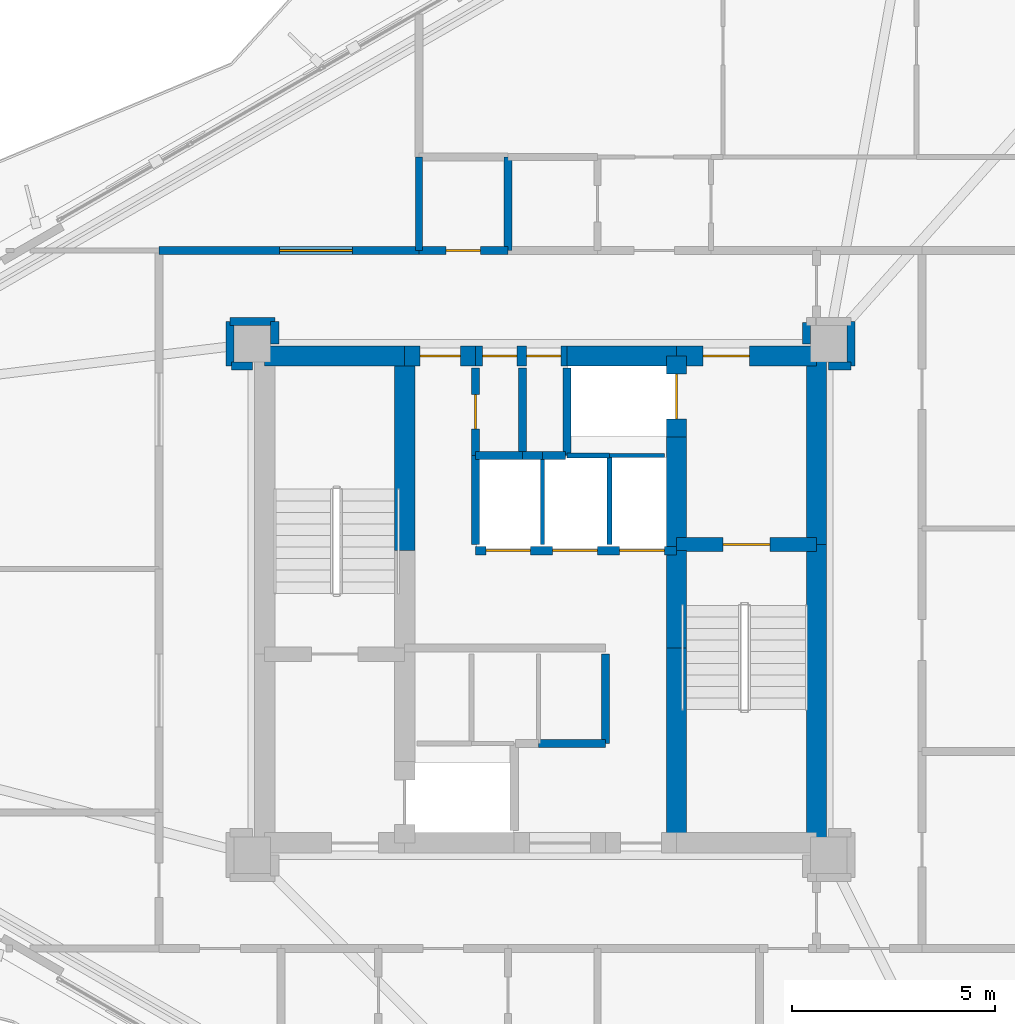
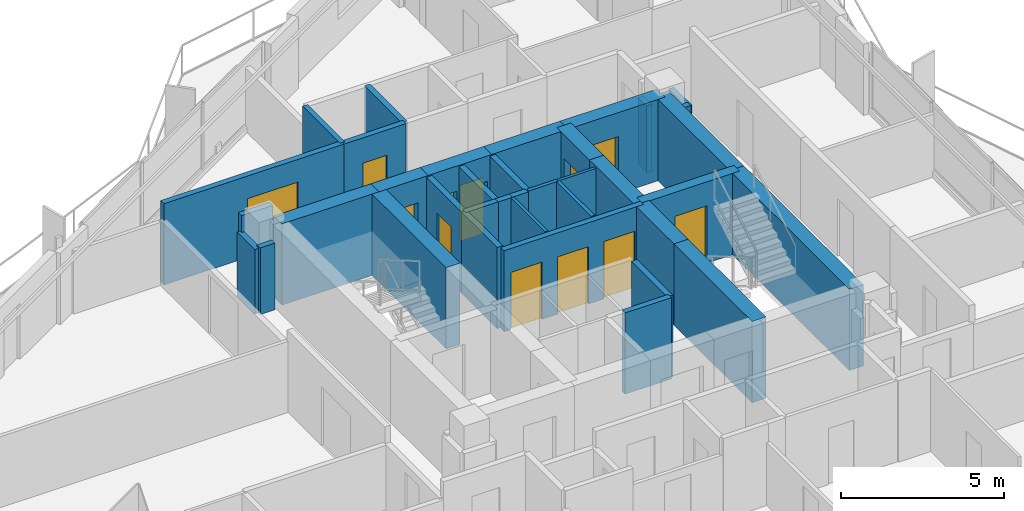
# One storey, part 17 of 22: 38 walls, 12 doors, 12 openings.
"""IFC4 building model written with IfcOpenShell, lengths in metres."""

from ifc_helpers import new_model, si_unit, direction, frame, frame_2d, origin, place, context, subcontext, project, spatial, rectangle, extrude, material, layer, layer_set, type_object, element, fill, save


model = new_model("IFC4")

# Units and contexts
model_context = context("Model", 3, precision=1e-05, world=origin(), true_north=direction((0.0, 1.0)))
body_context = subcontext(model_context, "Body", "Model", "MODEL_VIEW")
ifc_project = project(units=[si_unit("LENGTHUNIT", "METRE"), si_unit("AREAUNIT", "SQUARE_METRE"), si_unit("VOLUMEUNIT", "CUBIC_METRE"), si_unit("PLANEANGLEUNIT", "RADIAN"), si_unit("MASSUNIT", "GRAM", prefix="KILO")], contexts=[model_context])

# Site, building, storey
site_placement = place(None, origin())
site = spatial("IfcSite", under=ifc_project, at=site_placement, CompositionType="ELEMENT")
building_placement = place(site_placement, origin())
building = spatial("IfcBuilding", under=site, at=building_placement, Name="Mersakhor Tower and Convention Hall", CompositionType="ELEMENT")
storey_placement = place(building_placement, frame((0.0, 0.0, 83.39990234375)))
storey = spatial("IfcBuildingStorey", under=building, at=storey_placement, Name="L22", CompositionType="ELEMENT", Elevation=83.39990234375)

# Walls
ifc_material_1 = material(Name="Moisture-resistant acoustic drywall studwork", Category="other")
ifc_layer_1 = layer(ifc_material_1, 0.175048828125)
ifc_layer_set_1 = layer_set([ifc_layer_1], Name="Moisture-resistant acoustic drywall studwork")
wall_type_1 = type_object("IfcWallType", Name="WL-PLM-175", PredefinedType="PLUMBINGWALL", material=ifc_layer_set_1)
wall_1_placement = place(storey_placement, frame((26.0, 35.35009765625, 0.0), z_axis=(0.0, 0.0, 1.0), x_axis=(0.0, 1.0, 0.0)))
element("IfcWall", 1, at=wall_1_placement, inside=storey, type_object=wall_type_1, Name="L22 Interior Partition Wall P-066", PredefinedType="PLUMBINGWALL", context=body_context, shape_type="SweptSolid", body=[
    extrude(rectangle(XDim=2.2998046875, YDim=0.175048828125, at=frame_2d((1.14990234375, 0.0))), origin(), (0.0, 0.0, 1.0), 3.050048828125),
])
ifc_material_2 = material(Name="Lightweight gypsum partition", Category="other")
ifc_layer_2 = layer(ifc_material_2, 0.10009765625)
ifc_layer_set_2 = layer_set([ifc_layer_2], Name="Lightweight gypsum partition")
wall_type_2 = type_object("IfcWallType", Name="WL-PRT-100", PredefinedType="PARTITIONING", material=ifc_layer_set_2)
wall_2_placement = place(storey_placement, frame((32.050048828125, 30.300048828125, 0.0), z_axis=(0.0, 0.0, 1.0), x_axis=(-1.0, 0.0, 0.0)))
element("IfcWall", 2, at=wall_2_placement, inside=storey, type_object=wall_type_2, Name="L22 Interior Partition Wall P-004", PredefinedType="PARTITIONING", context=body_context, shape_type="SweptSolid", body=[
    extrude(rectangle(XDim=1.35009765625, YDim=0.10009765625, at=frame_2d((0.675048828125, 0.0))), origin(), (0.0, 0.0, 1.0), 3.050048828125),
])
wall_3_placement = place(storey_placement, frame((29.050048828125, 30.300048828125, 0.0), z_axis=(0.0, 0.0, 1.0), x_axis=(0.0, -1.0, 0.0)))
element("IfcWall", 3, at=wall_3_placement, inside=storey, type_object=wall_type_2, Name="L22 Interior Partition Wall P-014", PredefinedType="PARTITIONING", context=body_context, shape_type="SweptSolid", body=[
    extrude(rectangle(XDim=2.199951171875, YDim=0.10009765625, at=frame_2d((1.10009765625, 0.0))), origin(), (0.0, 0.0, 1.0), 3.050048828125),
])
ifc_material_3 = material(Name="Gypsum board acoustic partition", Category="other")
ifc_layer_3 = layer(ifc_material_3, 0.125)
ifc_layer_set_3 = layer_set([ifc_layer_3], Name="Gypsum board acoustic partition")
wall_type_3 = type_object("IfcWallType", Name="WL-PRT-125", PredefinedType="PARTITIONING", material=ifc_layer_set_3)
wall_4_placement = place(storey_placement, frame((30.699951171875, 30.300048828125, 0.0), z_axis=(0.0, 0.0, 1.0), x_axis=(-1.0, 0.0, 0.0)))
element("IfcWall", 4, at=wall_4_placement, inside=storey, type_object=wall_type_3, Name="L22 Interior Partition Wall P-005", PredefinedType="PARTITIONING", context=body_context, shape_type="SweptSolid", body=[
    extrude(rectangle(XDim=1.050048828125, YDim=0.125, at=frame_2d((0.52490234375, 0.0))), origin(), (0.0, 0.0, 1.0), 3.050048828125),
])
wall_5_placement = place(storey_placement, frame((30.699951171875, 30.300048828125, 0.0), z_axis=(0.0, 0.0, 1.0), x_axis=(0.0, -1.0, 0.0)))
element("IfcWall", 5, at=wall_5_placement, inside=storey, type_object=wall_type_3, Name="L22 Interior Partition Wall P-017", PredefinedType="PARTITIONING", context=body_context, shape_type="SweptSolid", body=[
    extrude(rectangle(XDim=2.199951171875, YDim=0.125, at=frame_2d((1.10009765625, 0.0))), origin(), (0.0, 0.0, 1.0), 3.050048828125),
])

# Wall, openings, doors
ifc_material_4 = material(Name="Acoustic concrete blockwork and gypsum board", Category="masonry")
ifc_layer_4 = layer(ifc_material_4, 0.199951171875)
ifc_layer_set_4 = layer_set([ifc_layer_4], Name="Acoustic concrete blockwork and gypsum board")
wall_type_4 = type_object("IfcWallType", Name="WL-PRT-200", PredefinedType="PARTITIONING", material=ifc_layer_set_4)
wall_6_placement = place(storey_placement, frame((27.39990234375, 27.949951171875, 0.0), z_axis=(0.0, 0.0, 1.0), x_axis=(1.0, 0.0, 0.0)))
wall_6 = element("IfcWall", 6, at=wall_6_placement, inside=storey, type_object=wall_type_4, Name="L22 Low-Rise Lift Bank Front Wall", PredefinedType="PARTITIONING", context=body_context, shape_type="SweptSolid", body=[
    extrude(rectangle(XDim=4.9501953125, YDim=0.199951171875, at=frame_2d((2.47509765625, 0.0))), origin(), (0.0, 0.0, 1.0), 3.050048828125),
])
opening_1_placement = place(wall_6_placement, frame((0.25, 0.0, 0.0)))
opening_1 = element("IfcOpeningElement", 7, at=opening_1_placement, cuts=wall_6, Name="Opening LD-P1", PredefinedType="OPENING", context=body_context, shape_type="SweptSolid", body=[
    extrude(rectangle(XDim=1.10009765625, YDim=2.14990234375, at=frame_2d((0.550048828125, 1.074951171875))), frame((0.0, 0.10986328125, 0.0), z_axis=(0.0, -1.0, 0.0), x_axis=(1.0, 0.0, 0.0)), (0.0, 0.0, 1.0), 0.219970703125),
])
opening_2_placement = place(wall_6_placement, frame((1.89990234375, 0.0, 0.0)))
opening_2 = element("IfcOpeningElement", 8, at=opening_2_placement, cuts=wall_6, Name="Opening LD-P2", PredefinedType="OPENING", context=body_context, shape_type="SweptSolid", body=[
    extrude(rectangle(XDim=1.10009765625, YDim=2.14990234375, at=frame_2d((0.550048828125, 1.074951171875))), frame((0.0, 0.10986328125, 0.0), z_axis=(0.0, -1.0, 0.0), x_axis=(1.0, 0.0, 0.0)), (0.0, 0.0, 1.0), 0.219970703125),
])
opening_3_placement = place(wall_6_placement, frame((3.550048828125, 0.0, 0.0)))
opening_3 = element("IfcOpeningElement", 9, at=opening_3_placement, cuts=wall_6, Name="Opening LD-P3", PredefinedType="OPENING", context=body_context, shape_type="SweptSolid", body=[
    extrude(rectangle(XDim=1.10009765625, YDim=2.14990234375, at=frame_2d((0.550048828125, 1.074951171875))), frame((0.0, 0.10986328125, 0.0), z_axis=(0.0, -1.0, 0.0), x_axis=(1.0, 0.0, 0.0)), (0.0, 0.0, 1.0), 0.219970703125),
])
ifc_material_5 = material(Name="Fire-rated brushed stainless steel sliding landing door", Category="steel")
door_type_1 = type_object("IfcDoorType", Name="DR-LIFT-SLD-110x215", OperationType="NOTDEFINED", PredefinedType="DOOR", material=ifc_material_5)
door_1_placement = place(opening_1_placement, origin())
door_1 = element("IfcDoor", 10, at=door_1_placement, inside=storey, type_object=door_type_1, Name="L22 Lift Landing Door LD-P1", OperationType="SLIDING_TO_LEFT", OverallHeight=2.14990234375, OverallWidth=1.10009765625, PredefinedType="DOOR", context=body_context, shape_type="SweptSolid", body=[
    extrude(rectangle(XDim=1.10009765625, YDim=2.14990234375, at=frame_2d((0.550048828125, 1.074951171875))), frame((0.0, 0.02490234375, 0.0), z_axis=(0.0, -1.0, 0.0), x_axis=(1.0, 0.0, 0.0)), (0.0, 0.0, 1.0), 0.050048828125),
])
fill(opening_1, door_1)
door_2_placement = place(opening_2_placement, origin())
door_2 = element("IfcDoor", 11, at=door_2_placement, inside=storey, type_object=door_type_1, Name="L22 Lift Landing Door LD-P2", OperationType="SLIDING_TO_LEFT", OverallHeight=2.14990234375, OverallWidth=1.10009765625, PredefinedType="DOOR", context=body_context, shape_type="SweptSolid", body=[
    extrude(rectangle(XDim=1.10009765625, YDim=2.14990234375, at=frame_2d((0.550048828125, 1.074951171875))), frame((0.0, 0.02490234375, 0.0), z_axis=(0.0, -1.0, 0.0), x_axis=(1.0, 0.0, 0.0)), (0.0, 0.0, 1.0), 0.050048828125),
])
fill(opening_2, door_2)
door_3_placement = place(opening_3_placement, origin())
door_3 = element("IfcDoor", 12, at=door_3_placement, inside=storey, type_object=door_type_1, Name="L22 Lift Landing Door LD-P3", OperationType="SLIDING_TO_LEFT", OverallHeight=2.14990234375, OverallWidth=1.10009765625, PredefinedType="DOOR", context=body_context, shape_type="SweptSolid", body=[
    extrude(rectangle(XDim=1.10009765625, YDim=2.14990234375, at=frame_2d((0.550048828125, 1.074951171875))), frame((0.0, 0.02490234375, 0.0), z_axis=(0.0, -1.0, 0.0), x_axis=(1.0, 0.0, 0.0)), (0.0, 0.0, 1.0), 0.050048828125),
])
fill(opening_3, door_3)

# Walls
wall_7_placement = place(storey_placement, frame((29.64990234375, 30.300048828125, 0.0), z_axis=(0.0, 0.0, 1.0), x_axis=(0.0, 1.0, 0.0)))
element("IfcWall", 13, at=wall_7_placement, inside=storey, type_object=wall_type_4, Name="L22 Interior Partition Wall P-006", PredefinedType="PARTITIONING", context=body_context, shape_type="SweptSolid", body=[
    extrude(rectangle(XDim=2.14990234375, YDim=0.199951171875, at=frame_2d((1.074951171875, 0.0))), origin(), (0.0, 0.0, 1.0), 3.050048828125),
])
wall_8_placement = place(storey_placement, frame((30.60009765625, 25.39990234375, 0.0), z_axis=(0.0, 0.0, 1.0), x_axis=(0.0, -1.0, 0.0)))
element("IfcWall", 14, at=wall_8_placement, inside=storey, type_object=wall_type_4, Name="L22 Interior Partition Wall P-010", PredefinedType="PARTITIONING", context=body_context, shape_type="SweptSolid", body=[
    extrude(rectangle(XDim=2.199951171875, YDim=0.199951171875, at=frame_2d((1.10009765625, 0.0))), origin(), (0.0, 0.0, 1.0), 3.050048828125),
])
wall_9_placement = place(storey_placement, frame((30.60009765625, 23.199951171875, 0.0), z_axis=(0.0, 0.0, 1.0), x_axis=(-1.0, 0.0, 0.0)))
element("IfcWall", 15, at=wall_9_placement, inside=storey, type_object=wall_type_4, Name="L22 Interior Partition Wall P-011", PredefinedType="PARTITIONING", context=body_context, shape_type="SweptSolid", body=[
    extrude(rectangle(XDim=1.650146484375, YDim=0.199951171875, at=frame_2d((0.8251953125, 0.0))), origin(), (0.0, 0.0, 1.0), 3.050048828125),
])
wall_10_placement = place(storey_placement, frame((27.39990234375, 30.300048828125, 0.0), z_axis=(0.0, 0.0, 1.0), x_axis=(1.0, 0.0, 0.0)))
element("IfcWall", 16, at=wall_10_placement, inside=storey, type_object=wall_type_4, Name="L22 Interior Partition Wall P-012", PredefinedType="PARTITIONING", context=body_context, shape_type="SweptSolid", body=[
    extrude(rectangle(XDim=1.150146484375, YDim=0.199951171875, at=frame_2d((0.5751953125, 0.0))), origin(), (0.0, 0.0, 1.0), 3.050048828125),
])
wall_11_placement = place(storey_placement, frame((28.550048828125, 30.300048828125, 0.0), z_axis=(0.0, 0.0, 1.0), x_axis=(1.0, 0.0, 0.0)))
element("IfcWall", 17, at=wall_11_placement, inside=storey, type_object=wall_type_4, Name="L22 Interior Partition Wall P-013", PredefinedType="PARTITIONING", context=body_context, shape_type="SweptSolid", body=[
    extrude(rectangle(XDim=0.5, YDim=0.199951171875, at=frame_2d((0.25, 0.0))), origin(), (0.0, 0.0, 1.0), 3.050048828125),
])
wall_12_placement = place(storey_placement, frame((27.39990234375, 28.10009765625, 0.0), z_axis=(0.0, 0.0, 1.0), x_axis=(0.0, 1.0, 0.0)))
element("IfcWall", 18, at=wall_12_placement, inside=storey, type_object=wall_type_4, Name="L22 Interior Partition Wall P-015", PredefinedType="PARTITIONING", context=body_context, shape_type="SweptSolid", body=[
    extrude(rectangle(XDim=2.199951171875, YDim=0.199951171875, at=frame_2d((1.10009765625, 0.0))), origin(), (0.0, 0.0, 1.0), 3.050048828125),
])
wall_13_placement = place(storey_placement, frame((29.050048828125, 30.300048828125, 0.0), z_axis=(0.0, 0.0, 1.0), x_axis=(1.0, 0.0, 0.0)))
element("IfcWall", 19, at=wall_13_placement, inside=storey, type_object=wall_type_4, Name="L22 Interior Partition Wall P-016", PredefinedType="PARTITIONING", context=body_context, shape_type="SweptSolid", body=[
    extrude(rectangle(XDim=0.570068359375, YDim=0.199951171875, at=frame_2d((0.28515625, 0.0))), origin(), (0.0, 0.0, 1.0), 3.050048828125),
])

# Wall, opening, door
wall_14_placement = place(storey_placement, frame((27.39990234375, 32.449951171875, 0.0), z_axis=(0.0, 0.0, 1.0), x_axis=(0.0, -1.0, 0.0)))
wall_14 = element("IfcWall", 20, at=wall_14_placement, inside=storey, type_object=wall_type_4, Name="L22 Interior Partition Wall P-018", PredefinedType="PARTITIONING", context=body_context, shape_type="SweptSolid", body=[
    extrude(rectangle(XDim=2.14990234375, YDim=0.199951171875, at=frame_2d((1.074951171875, 0.0))), origin(), (0.0, 0.0, 1.0), 3.050048828125),
])
opening_4_placement = place(wall_14_placement, frame((0.64990234375, 0.0, 0.0)))
opening_4 = element("IfcOpeningElement", 21, at=opening_4_placement, cuts=wall_14, Name="Opening SVD-01", PredefinedType="OPENING", context=body_context, shape_type="SweptSolid", body=[
    extrude(rectangle(XDim=0.85009765625, YDim=2.10009765625, at=frame_2d((0.425048828125, 1.050048828125))), frame((0.0, 0.10986328125, 0.0), z_axis=(0.0, -1.0, 0.0), x_axis=(1.0, 0.0, 0.0)), (0.0, 0.0, 1.0), 0.219970703125),
])
ifc_material_6 = material(Name="Fire-rated hardwood leaf and painted steel frame", Category="steel")
door_type_2 = type_object("IfcDoorType", Name="DR-INT-SVC-085x210", OperationType="NOTDEFINED", PredefinedType="DOOR", material=ifc_material_6)
door_4_placement = place(opening_4_placement, origin())
door_4 = element("IfcDoor", 22, at=door_4_placement, inside=storey, type_object=door_type_2, Name="L22 Central Passenger Lift Lobby to Telecoms Distribution Room Door", OperationType="SINGLE_SWING_RIGHT", OverallHeight=2.10009765625, OverallWidth=0.85009765625, PredefinedType="DOOR", context=body_context, shape_type="SweptSolid", body=[
    extrude(rectangle(XDim=0.85009765625, YDim=2.10009765625, at=frame_2d((0.425048828125, 1.050048828125))), frame((0.0, 0.02490234375, 0.0), z_axis=(0.0, -1.0, 0.0), x_axis=(1.0, 0.0, 0.0)), (0.0, 0.0, 1.0), 0.050048828125),
])
fill(opening_4, door_4)

wall_15_placement = place(storey_placement, frame((19.60009765625, 35.35009765625, 0.0), z_axis=(0.0, 0.0, 1.0), x_axis=(1.0, 0.0, 0.0)))
wall_15 = element("IfcWall", 23, at=wall_15_placement, inside=storey, type_object=wall_type_4, Name="L22 Interior Partition Wall P-033", PredefinedType="PARTITIONING", context=body_context, shape_type="SweptSolid", body=[
    extrude(rectangle(XDim=6.39990234375, YDim=0.199951171875, at=frame_2d((3.199951171875, 0.0))), origin(), (0.0, 0.0, 1.0), 3.050048828125),
])
opening_5_placement = place(wall_15_placement, frame((2.966064453125, 0.0, 0.0)))
opening_5 = element("IfcOpeningElement", 24, at=opening_5_placement, cuts=wall_15, Name="Opening HD-01", PredefinedType="OPENING", context=body_context, shape_type="SweptSolid", body=[
    extrude(rectangle(XDim=1.800048828125, YDim=2.199951171875, at=frame_2d((0.89990234375, 1.10009765625))), frame((0.0, 0.10986328125, 0.0), z_axis=(0.0, -1.0, 0.0), x_axis=(1.0, 0.0, 0.0)), (0.0, 0.0, 1.0), 0.219970703125),
])
ifc_material_7 = material(Name="Fire-rated hardwood leaf and painted steel frame", Category="steel")
door_type_3 = type_object("IfcDoorType", Name="DR-INT-HALL-180x220", OperationType="NOTDEFINED", PredefinedType="DOOR", material=ifc_material_7)
door_5_placement = place(opening_5_placement, origin())
door_5 = element("IfcDoor", 25, at=door_5_placement, inside=storey, type_object=door_type_3, Name="L22 Residential Ring Corridor to L22 North Residents Multi-Purpose Assembly Hall Door", OperationType="DOUBLE_DOOR_SINGLE_SWING", OverallHeight=2.199951171875, OverallWidth=1.800048828125, PredefinedType="DOOR", context=body_context, shape_type="SweptSolid", body=[
    extrude(rectangle(XDim=1.800048828125, YDim=2.199951171875, at=frame_2d((0.89990234375, 1.10009765625))), frame((0.0, 0.02490234375, 0.0), z_axis=(0.0, -1.0, 0.0), x_axis=(1.0, 0.0, 0.0)), (0.0, 0.0, 1.0), 0.050048828125),
])
fill(opening_5, door_5)

wall_16_placement = place(storey_placement, frame((26.0, 35.35009765625, 0.0), z_axis=(0.0, 0.0, 1.0), x_axis=(1.0, 0.0, 0.0)))
wall_16 = element("IfcWall", 26, at=wall_16_placement, inside=storey, type_object=wall_type_4, Name="L22 Interior Partition Wall P-034", PredefinedType="PARTITIONING", context=body_context, shape_type="SweptSolid", body=[
    extrude(rectangle(XDim=2.199951171875, YDim=0.199951171875, at=frame_2d((1.10009765625, 0.0))), origin(), (0.0, 0.0, 1.0), 3.050048828125),
])
opening_6_placement = place(wall_16_placement, frame((0.675048828125, 0.0, 0.0)))
opening_6 = element("IfcOpeningElement", 27, at=opening_6_placement, cuts=wall_16, Name="Opening SVD-01", PredefinedType="OPENING", context=body_context, shape_type="SweptSolid", body=[
    extrude(rectangle(XDim=0.85009765625, YDim=2.10009765625, at=frame_2d((0.425048828125, 1.050048828125))), frame((0.0, 0.10986328125, 0.0), z_axis=(0.0, -1.0, 0.0), x_axis=(1.0, 0.0, 0.0)), (0.0, 0.0, 1.0), 0.219970703125),
])
door_6_placement = place(opening_6_placement, origin())
door_6 = element("IfcDoor", 28, at=door_6_placement, inside=storey, type_object=door_type_2, Name="L22 Residential Ring Corridor to L22 North Floor Accessible Toilet WC Door", OperationType="SINGLE_SWING_LEFT", OverallHeight=2.10009765625, OverallWidth=0.85009765625, PredefinedType="DOOR", context=body_context, shape_type="SweptSolid", body=[
    extrude(rectangle(XDim=0.85009765625, YDim=2.10009765625, at=frame_2d((0.425048828125, 1.050048828125))), frame((0.0, 0.02490234375, 0.0), z_axis=(0.0, -1.0, 0.0), x_axis=(1.0, 0.0, 0.0)), (0.0, 0.0, 1.0), 0.050048828125),
])
fill(opening_6, door_6)

# Walls
wall_17_placement = place(storey_placement, frame((35.550048828125, 33.570068359375, 0.0), z_axis=(0.0, 0.0, 1.0), x_axis=(0.0, -1.0, 0.0)))
element("IfcWall", 29, at=wall_17_placement, inside=storey, type_object=wall_type_4, Name="L22 Interior Partition Wall P-040", PredefinedType="PARTITIONING", context=body_context, shape_type="SweptSolid", body=[
    extrude(rectangle(XDim=0.52001953125, YDim=0.199951171875, at=frame_2d((0.260009765625, 0.0))), origin(), (0.0, 0.0, 1.0), 2.498291015625),
])
wall_18_placement = place(storey_placement, frame((22.449951171875, 33.050048828125, 0.0), z_axis=(0.0, 0.0, 1.0), x_axis=(0.0, 1.0, 0.0)))
element("IfcWall", 30, at=wall_18_placement, inside=storey, type_object=wall_type_4, Name="L22 Interior Partition Wall P-041", PredefinedType="PARTITIONING", context=body_context, shape_type="SweptSolid", body=[
    extrude(rectangle(XDim=0.550048828125, YDim=0.199951171875, at=frame_2d((0.27490234375, 0.0))), origin(), (0.0, 0.0, 1.0), 2.498291015625),
])
wall_19_placement = place(storey_placement, frame((22.449951171875, 33.60009765625, 0.0), z_axis=(0.0, 0.0, 1.0), x_axis=(-1.0, 0.0, 0.0)))
element("IfcWall", 31, at=wall_19_placement, inside=storey, type_object=wall_type_4, Name="L22 Interior Partition Wall P-042", PredefinedType="PARTITIONING", context=body_context, shape_type="SweptSolid", body=[
    extrude(rectangle(XDim=1.099853515625, YDim=0.199951171875, at=frame_2d((0.5498046875, 0.0))), origin(), (0.0, 0.0, 1.0), 3.050048828125),
])
wall_20_placement = place(storey_placement, frame((21.35009765625, 33.60009765625, 0.0), z_axis=(0.0, 0.0, 1.0), x_axis=(0.0, -1.0, 0.0)))
element("IfcWall", 32, at=wall_20_placement, inside=storey, type_object=wall_type_4, Name="L22 Interior Partition Wall P-043", PredefinedType="PARTITIONING", context=body_context, shape_type="SweptSolid", body=[
    extrude(rectangle(XDim=1.10009765625, YDim=0.199951171875, at=frame_2d((0.550048828125, 0.0))), origin(), (0.0, 0.0, 1.0), 2.4228515625),
])
wall_21_placement = place(storey_placement, frame((21.3798828125, 32.5, 0.0), z_axis=(0.0, 0.0, 1.0), x_axis=(1.0, 0.0, 0.0)))
element("IfcWall", 33, at=wall_21_placement, inside=storey, type_object=wall_type_4, Name="L22 Interior Partition Wall P-044", PredefinedType="PARTITIONING", context=body_context, shape_type="SweptSolid", body=[
    extrude(rectangle(XDim=0.52001953125, YDim=0.199951171875, at=frame_2d((0.260009765625, 0.0))), origin(), (0.0, 0.0, 1.0), 2.498291015625),
])
wall_22_placement = place(storey_placement, frame((36.10009765625, 32.5, 0.0), z_axis=(0.0, 0.0, 1.0), x_axis=(1.0, 0.0, 0.0)))
element("IfcWall", 34, at=wall_22_placement, inside=storey, type_object=wall_type_4, Name="L22 Interior Partition Wall P-048", PredefinedType="PARTITIONING", context=body_context, shape_type="SweptSolid", body=[
    extrude(rectangle(XDim=0.5498046875, YDim=0.199951171875, at=frame_2d((0.27490234375, 0.0))), origin(), (0.0, 0.0, 1.0), 2.498291015625),
])
wall_23_placement = place(storey_placement, frame((36.64990234375, 32.5, 0.0), z_axis=(0.0, 0.0, 1.0), x_axis=(0.0, 1.0, 0.0)))
element("IfcWall", 35, at=wall_23_placement, inside=storey, type_object=wall_type_4, Name="L22 Interior Partition Wall P-049", PredefinedType="PARTITIONING", context=body_context, shape_type="SweptSolid", body=[
    extrude(rectangle(XDim=1.10009765625, YDim=0.199951171875, at=frame_2d((0.550048828125, 0.0))), origin(), (0.0, 0.0, 1.0), 2.4228515625),
])
wall_24_placement = place(storey_placement, frame((28.199951171875, 37.64990234375, 0.0), z_axis=(0.0, 0.0, 1.0), x_axis=(0.0, -1.0, 0.0)))
element("IfcWall", 36, at=wall_24_placement, inside=storey, type_object=wall_type_4, Name="L22 Interior Partition Wall P-065", PredefinedType="PARTITIONING", context=body_context, shape_type="SweptSolid", body=[
    extrude(rectangle(XDim=2.2998046875, YDim=0.199951171875, at=frame_2d((1.14990234375, 0.0))), origin(), (0.0, 0.0, 1.0), 3.050048828125),
])
wall_25_placement = place(storey_placement, frame((28.550048828125, 32.449951171875, 0.0), z_axis=(0.0, 0.0, 1.0), x_axis=(0.0, -1.0, 0.0)))
element("IfcWall", 37, at=wall_25_placement, inside=storey, type_object=wall_type_4, Name="L22 Interior Partition Wall P-083", PredefinedType="PARTITIONING", context=body_context, shape_type="SweptSolid", body=[
    extrude(rectangle(XDim=2.14990234375, YDim=0.199951171875, at=frame_2d((1.074951171875, 0.0))), origin(), (0.0, 0.0, 1.0), 3.050048828125),
])

# Wall, opening, door
ifc_material_8 = material(Name="Concrete C50/60", Category="concrete")
ifc_layer_5 = layer(ifc_material_8, 0.35009765625)
ifc_layer_set_5 = layer_set([ifc_layer_5], Name="Concrete C50/60")
wall_type_5 = type_object("IfcWallType", Name="WL-SHR-350", PredefinedType="SHEAR", material=ifc_layer_set_5)
wall_26_placement = place(storey_placement, frame((32.35009765625, 28.10009765625, 0.0), z_axis=(0.0, 0.0, 1.0), x_axis=(1.0, 0.0, 0.0)))
wall_26 = element("IfcWall", 38, at=wall_26_placement, inside=storey, type_object=wall_type_5, Name="L22 Core Wall CS-ST2-N", PredefinedType="SHEAR", context=body_context, shape_type="SweptSolid", body=[
    extrude(rectangle(XDim=3.449951171875, YDim=0.35009765625, at=frame_2d((1.72509765625, 0.0))), origin(), (0.0, 0.0, 1.0), 3.050048828125),
])
opening_7_placement = place(wall_26_placement, frame((1.14990234375, 0.0, 0.0)))
opening_7 = element("IfcOpeningElement", 39, at=opening_7_placement, cuts=wall_26, Name="Opening SD-01", PredefinedType="OPENING", context=body_context, shape_type="SweptSolid", body=[
    extrude(rectangle(XDim=1.14990234375, YDim=2.14990234375, at=frame_2d((0.574951171875, 1.074951171875))), frame((0.0, 0.18505859375, 0.0), z_axis=(0.0, -1.0, 0.0), x_axis=(1.0, 0.0, 0.0)), (0.0, 0.0, 1.0), 0.3701171875),
])
ifc_material_9 = material(Name="Fire-rated hardwood leaf and painted steel frame", Category="steel")
door_type_4 = type_object("IfcDoorType", Name="DR-INT-STAIR-115x215", OperationType="NOTDEFINED", PredefinedType="DOOR", material=ifc_material_9)
door_7_placement = place(opening_7_placement, origin())
door_7 = element("IfcDoor", 40, at=door_7_placement, inside=storey, type_object=door_type_4, Name="L22 Exit Stair ST-2 Enclosure Door", OperationType="SINGLE_SWING_RIGHT", OverallHeight=2.14990234375, OverallWidth=1.14990234375, PredefinedType="DOOR", context=body_context, shape_type="SweptSolid", body=[
    extrude(rectangle(XDim=1.14990234375, YDim=2.14990234375, at=frame_2d((0.574951171875, 1.074951171875))), frame((0.0, 0.02490234375, 0.0), z_axis=(0.0, -1.0, 0.0), x_axis=(1.0, 0.0, 0.0)), (0.0, 0.0, 1.0), 0.050048828125),
])
fill(opening_7, door_7)

# Wall
ifc_material_10 = material(Name="Concrete C70/85", Category="concrete")
ifc_layer_6 = layer(ifc_material_10, 0.5)
ifc_layer_set_6 = layer_set([ifc_layer_6], Name="Concrete C70/85")
wall_type_6 = type_object("IfcWallType", Name="WL-SHR-500", PredefinedType="SHEAR", material=ifc_layer_set_6)
wall_27_placement = place(storey_placement, frame((22.199951171875, 32.75, 0.0), z_axis=(0.0, 0.0, 1.0), x_axis=(1.0, 0.0, 0.0)))
element("IfcWall", 41, at=wall_27_placement, inside=storey, type_object=wall_type_6, Name="L22 Core Wall CW-N1", PredefinedType="SHEAR", context=body_context, shape_type="SweptSolid", body=[
    extrude(rectangle(XDim=3.449951171875, YDim=0.5, at=frame_2d((1.72509765625, 0.0))), origin(), (0.0, 0.0, 1.0), 3.050048828125),
])

# Wall, opening, door
wall_28_placement = place(storey_placement, frame((25.64990234375, 32.75, 0.0), z_axis=(0.0, 0.0, 1.0), x_axis=(1.0, 0.0, 0.0)))
wall_28 = element("IfcWall", 42, at=wall_28_placement, inside=storey, type_object=wall_type_6, Name="L22 Core Wall CW-N2A", PredefinedType="SHEAR", context=body_context, shape_type="SweptSolid", body=[
    extrude(rectangle(XDim=1.75, YDim=0.5, at=frame_2d((0.875, 0.0))), origin(), (0.0, 0.0, 1.0), 3.050048828125),
])
opening_8_placement = place(wall_28_placement, frame((0.375, 0.0, 0.0)))
opening_8 = element("IfcOpeningElement", 43, at=opening_8_placement, cuts=wall_28, Name="Opening CFD-01", PredefinedType="OPENING", context=body_context, shape_type="SweptSolid", body=[
    extrude(rectangle(XDim=1.0, YDim=2.14990234375, at=frame_2d((0.5, 1.074951171875))), frame((0.0, 0.260009765625, 0.0), z_axis=(0.0, -1.0, 0.0), x_axis=(1.0, 0.0, 0.0)), (0.0, 0.0, 1.0), 0.52001953125),
])
ifc_material_11 = material(Name="Fire-rated hardwood leaf and painted steel frame", Category="steel")
door_type_5 = type_object("IfcDoorType", Name="DR-CORE-FD-100x215", OperationType="NOTDEFINED", PredefinedType="DOOR", material=ifc_material_11)
door_8_placement = place(opening_8_placement, origin())
door_8 = element("IfcDoor", 44, at=door_8_placement, inside=storey, type_object=door_type_5, Name="L22 Lift Lobby North Corridor Door", OperationType="SINGLE_SWING_LEFT", OverallHeight=2.14990234375, OverallWidth=1.0, PredefinedType="DOOR", context=body_context, shape_type="SweptSolid", body=[
    extrude(rectangle(XDim=1.0, YDim=2.14990234375, at=frame_2d((0.5, 1.074951171875))), frame((0.0, 0.02490234375, 0.0), z_axis=(0.0, -1.0, 0.0), x_axis=(1.0, 0.0, 0.0)), (0.0, 0.0, 1.0), 0.050048828125),
])
fill(opening_8, door_8)

# Wall, openings, doors
wall_29_placement = place(storey_placement, frame((27.39990234375, 32.75, 0.0), z_axis=(0.0, 0.0, 1.0), x_axis=(1.0, 0.0, 0.0)))
wall_29 = element("IfcWall", 45, at=wall_29_placement, inside=storey, type_object=wall_type_6, Name="L22 Core Wall CW-N2B", PredefinedType="SHEAR", context=body_context, shape_type="SweptSolid", body=[
    extrude(rectangle(XDim=2.25, YDim=0.5, at=frame_2d((1.125, 0.0))), origin(), (0.0, 0.0, 1.0), 3.050048828125),
])
opening_9_placement = place(wall_29_placement, frame((0.169921875, 0.0, 0.0)))
opening_9 = element("IfcOpeningElement", 46, at=opening_9_placement, cuts=wall_29, Name="Opening SVD-01", PredefinedType="OPENING", context=body_context, shape_type="SweptSolid", body=[
    extrude(rectangle(XDim=0.85009765625, YDim=2.10009765625, at=frame_2d((0.425048828125, 1.050048828125))), frame((0.0, 0.260009765625, 0.0), z_axis=(0.0, -1.0, 0.0), x_axis=(1.0, 0.0, 0.0)), (0.0, 0.0, 1.0), 0.52001953125),
])
opening_10_placement = place(wall_29_placement, frame((1.2548828125, 0.0, 0.0)))
opening_10 = element("IfcOpeningElement", 47, at=opening_10_placement, cuts=wall_29, Name="Opening SVD-01", PredefinedType="OPENING", context=body_context, shape_type="SweptSolid", body=[
    extrude(rectangle(XDim=0.85009765625, YDim=2.10009765625, at=frame_2d((0.425048828125, 1.050048828125))), frame((0.0, 0.260009765625, 0.0), z_axis=(0.0, -1.0, 0.0), x_axis=(1.0, 0.0, 0.0)), (0.0, 0.0, 1.0), 0.52001953125),
])
door_9_placement = place(opening_9_placement, origin())
door_9 = element("IfcDoor", 48, at=door_9_placement, inside=storey, type_object=door_type_2, Name="L22 Residential Ring Corridor to Telecoms Distribution Room Door", OperationType="SINGLE_SWING_LEFT", OverallHeight=2.10009765625, OverallWidth=0.85009765625, PredefinedType="DOOR", context=body_context, shape_type="SweptSolid", body=[
    extrude(rectangle(XDim=0.85009765625, YDim=2.10009765625, at=frame_2d((0.425048828125, 1.050048828125))), frame((0.0, 0.02490234375, 0.0), z_axis=(0.0, -1.0, 0.0), x_axis=(1.0, 0.0, 0.0)), (0.0, 0.0, 1.0), 0.050048828125),
])
fill(opening_9, door_9)
door_10_placement = place(opening_10_placement, origin())
door_10 = element("IfcDoor", 49, at=door_10_placement, inside=storey, type_object=door_type_2, Name="L22 Residential Ring Corridor to Floor Housekeeping Store Room Door", OperationType="SINGLE_SWING_RIGHT", OverallHeight=2.10009765625, OverallWidth=0.85009765625, PredefinedType="DOOR", context=body_context, shape_type="SweptSolid", body=[
    extrude(rectangle(XDim=0.85009765625, YDim=2.10009765625, at=frame_2d((0.425048828125, 1.050048828125))), frame((0.0, 0.02490234375, 0.0), z_axis=(0.0, -1.0, 0.0), x_axis=(1.0, 0.0, 0.0)), (0.0, 0.0, 1.0), 0.050048828125),
])
fill(opening_10, door_10)

# Wall
wall_30_placement = place(storey_placement, frame((29.64990234375, 32.75, 0.0), z_axis=(0.0, 0.0, 1.0), x_axis=(1.0, 0.0, 0.0)))
element("IfcWall", 50, at=wall_30_placement, inside=storey, type_object=wall_type_6, Name="L22 Core Wall CW-N3", PredefinedType="SHEAR", context=body_context, shape_type="SweptSolid", body=[
    extrude(rectangle(XDim=2.7001953125, YDim=0.5, at=frame_2d((1.35009765625, 0.0))), origin(), (0.0, 0.0, 1.0), 3.050048828125),
])

# Wall, opening, door
wall_31_placement = place(storey_placement, frame((32.35009765625, 32.75, 0.0), z_axis=(0.0, 0.0, 1.0), x_axis=(1.0, 0.0, 0.0)))
wall_31 = element("IfcWall", 51, at=wall_31_placement, inside=storey, type_object=wall_type_6, Name="L22 Core Wall CW-N4", PredefinedType="SHEAR", context=body_context, shape_type="SweptSolid", body=[
    extrude(rectangle(XDim=3.449951171875, YDim=0.5, at=frame_2d((1.72509765625, 0.0))), origin(), (0.0, 0.0, 1.0), 3.050048828125),
])
opening_11_placement = place(wall_31_placement, frame((0.64990234375, 0.0, 0.0)))
opening_11 = element("IfcOpeningElement", 52, at=opening_11_placement, cuts=wall_31, Name="Opening SD-01", PredefinedType="OPENING", context=body_context, shape_type="SweptSolid", body=[
    extrude(rectangle(XDim=1.14990234375, YDim=2.14990234375, at=frame_2d((0.574951171875, 1.074951171875))), frame((0.0, 0.260009765625, 0.0), z_axis=(0.0, -1.0, 0.0), x_axis=(1.0, 0.0, 0.0)), (0.0, 0.0, 1.0), 0.52001953125),
])
door_11_placement = place(opening_11_placement, origin())
door_11 = element("IfcDoor", 53, at=door_11_placement, inside=storey, type_object=door_type_4, Name="L22 Firefighting Lobby East Fire Door", OperationType="SINGLE_SWING_RIGHT", OverallHeight=2.14990234375, OverallWidth=1.14990234375, PredefinedType="DOOR", context=body_context, shape_type="SweptSolid", body=[
    extrude(rectangle(XDim=1.14990234375, YDim=2.14990234375, at=frame_2d((0.574951171875, 1.074951171875))), frame((0.0, 0.02490234375, 0.0), z_axis=(0.0, -1.0, 0.0), x_axis=(1.0, 0.0, 0.0)), (0.0, 0.0, 1.0), 0.050048828125),
])
fill(opening_11, door_11)

# Walls
wall_32_placement = place(storey_placement, frame((35.800048828125, 32.75, 0.0), z_axis=(0.0, 0.0, 1.0), x_axis=(0.0, -1.0, 0.0)))
element("IfcWall", 54, at=wall_32_placement, inside=storey, type_object=wall_type_6, Name="L22 Core Wall CW-E1", PredefinedType="SHEAR", context=body_context, shape_type="SweptSolid", body=[
    extrude(rectangle(XDim=4.64990234375, YDim=0.5, at=frame_2d((2.324951171875, 0.0))), origin(), (0.0, 0.0, 1.0), 3.050048828125),
])
wall_33_placement = place(storey_placement, frame((35.800048828125, 28.10009765625, 0.0), z_axis=(0.0, 0.0, 1.0), x_axis=(0.0, -1.0, 0.0)))
element("IfcWall", 55, at=wall_33_placement, inside=storey, type_object=wall_type_6, Name="L22 Core Wall CW-E2", PredefinedType="SHEAR", context=body_context, shape_type="SweptSolid", body=[
    extrude(rectangle(XDim=7.35009765625, YDim=0.5, at=frame_2d((3.675048828125, 0.0))), origin(), (0.0, 0.0, 1.0), 3.050048828125),
])
for number, where, z_axis, x_axis, name in (
    (56, (25.64990234375, 27.949951171875, 0.0), (0.0, 0.0, 1.0), (0.0, 1.0, 0.0), "L22 Core Wall CS-W-ST1"),
    (57, (32.35009765625, 20.75, 0.0), (0.0, 0.0, 1.0), (0.0, 1.0, 0.0), "L22 Core Wall CS-E-ST2"),
):
    element("IfcWall", number, at=place(storey_placement, frame(where, z_axis=z_axis, x_axis=x_axis)), inside=storey, type_object=wall_type_6, Name=name, PredefinedType="SHEAR", context=body_context, shape_type="SweptSolid", body=[
        extrude(rectangle(XDim=4.800048828125, YDim=0.5, at=frame_2d((2.39990234375, 0.0))), origin(), (0.0, 0.0, 1.0), 3.050048828125),
    ])
wall_34_placement = place(storey_placement, frame((32.35009765625, 25.550048828125, 0.0), z_axis=(0.0, 0.0, 1.0), x_axis=(0.0, 1.0, 0.0)))
element("IfcWall", 58, at=wall_34_placement, inside=storey, type_object=wall_type_6, Name="L22 Core Wall CS-E-LOB", PredefinedType="SHEAR", context=body_context, shape_type="SweptSolid", body=[
    extrude(rectangle(XDim=2.39990234375, YDim=0.5, at=frame_2d((1.199951171875, 0.0))), origin(), (0.0, 0.0, 1.0), 3.050048828125),
])
wall_35_placement = place(storey_placement, frame((32.35009765625, 27.949951171875, 0.0), z_axis=(0.0, 0.0, 1.0), x_axis=(0.0, 1.0, 0.0)))
element("IfcWall", 59, at=wall_35_placement, inside=storey, type_object=wall_type_6, Name="L22 Core Wall CS-E-MID", PredefinedType="SHEAR", context=body_context, shape_type="SweptSolid", body=[
    extrude(rectangle(XDim=2.800048828125, YDim=0.5, at=frame_2d((1.39990234375, 0.0))), origin(), (0.0, 0.0, 1.0), 3.050048828125),
])

# Wall, opening, door
wall_36_placement = place(storey_placement, frame((32.35009765625, 30.75, 0.0), z_axis=(0.0, 0.0, 1.0), x_axis=(0.0, 1.0, 0.0)))
wall_36 = element("IfcWall", 60, at=wall_36_placement, inside=storey, type_object=wall_type_6, Name="L22 Core Wall CS-E-FFL", PredefinedType="SHEAR", context=body_context, shape_type="SweptSolid", body=[
    extrude(rectangle(XDim=2.0, YDim=0.5, at=frame_2d((1.0, 0.0))), origin(), (0.0, 0.0, 1.0), 3.050048828125),
])
opening_12_placement = place(wall_36_placement, frame((0.449951171875, 0.0, 0.0)))
opening_12 = element("IfcOpeningElement", 61, at=opening_12_placement, cuts=wall_36, Name="Opening LD-FFL2", PredefinedType="OPENING", context=body_context, shape_type="SweptSolid", body=[
    extrude(rectangle(XDim=1.10009765625, YDim=2.14990234375, at=frame_2d((0.550048828125, 1.074951171875))), frame((0.0, 0.260009765625, 0.0), z_axis=(0.0, -1.0, 0.0), x_axis=(1.0, 0.0, 0.0)), (0.0, 0.0, 1.0), 0.52001953125),
])
door_12_placement = place(opening_12_placement, origin())
door_12 = element("IfcDoor", 62, at=door_12_placement, inside=storey, type_object=door_type_1, Name="L22 Firefighting Lift Landing Door LD-FFL2", OperationType="SLIDING_TO_LEFT", OverallHeight=2.14990234375, OverallWidth=1.10009765625, PredefinedType="DOOR", context=body_context, shape_type="SweptSolid", body=[
    extrude(rectangle(XDim=1.10009765625, YDim=2.14990234375, at=frame_2d((0.550048828125, 1.074951171875))), frame((0.0, 0.02490234375, 0.0), z_axis=(0.0, -1.0, 0.0), x_axis=(1.0, 0.0, 0.0)), (0.0, 0.0, 1.0), 0.050048828125),
])
fill(opening_12, door_12)

save(model, "model.ifc")
